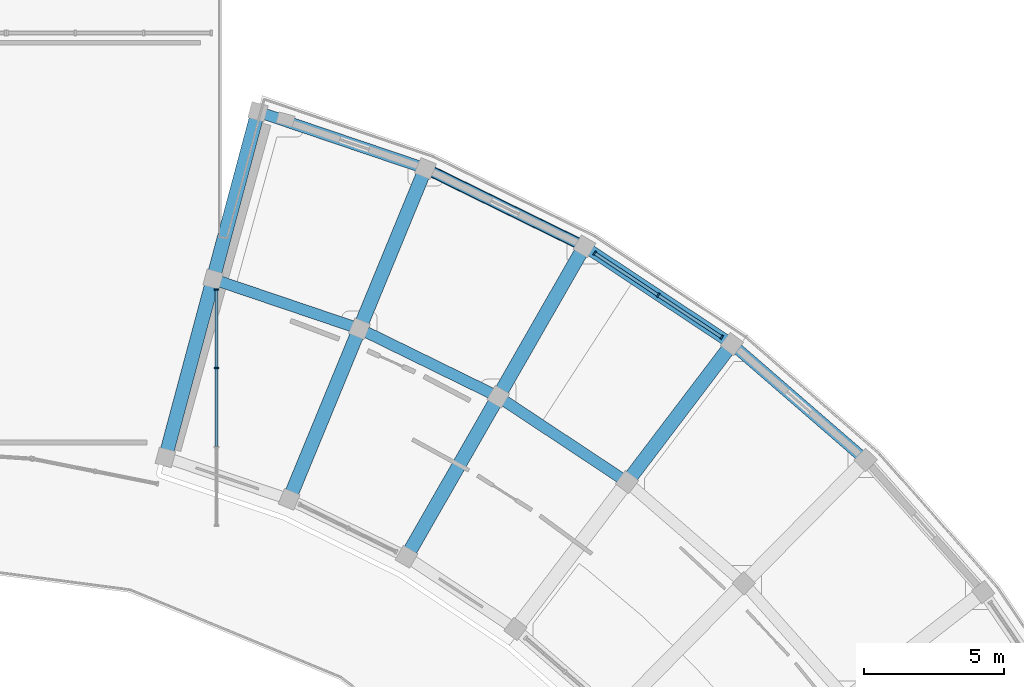
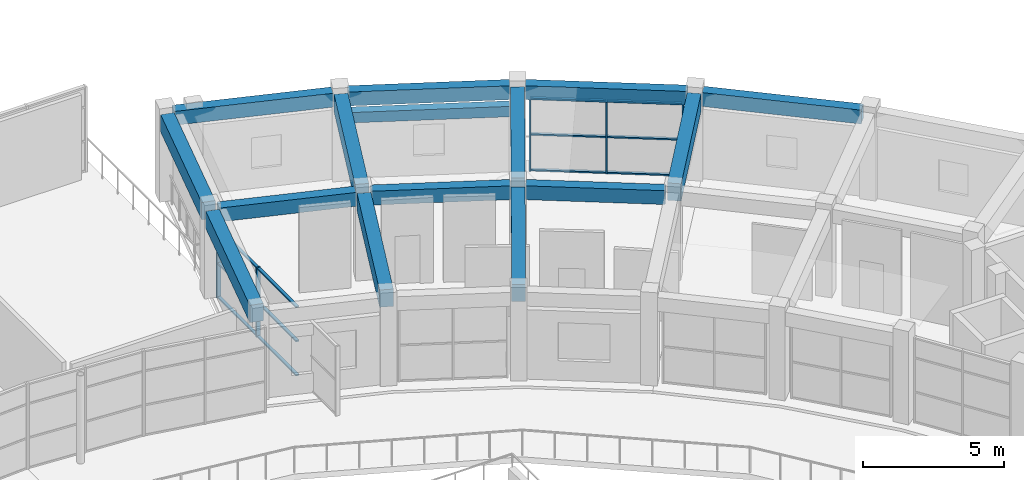
# One storey, part 38 of 83: 17 members, 15 beams, 2 elements without a shape of their own.
"""IFC4 building model written with IfcOpenShell, lengths in metres."""

from ifc_helpers import new_model, si_unit, direction, frame, origin, origin_2d, place, context, subcontext, project, spatial, rectangle, extrude, material, material_profile, profile_set, type_object, element, aggregate, save


model = new_model("IFC4")

# Units and contexts
model_context = context("Model", 3, precision=1e-05, world=origin(), true_north=direction((0.0, 1.0)))
body_context = subcontext(model_context, "Body", "Model", "MODEL_VIEW")
ifc_project = project(units=[si_unit("LENGTHUNIT", "METRE"), si_unit("AREAUNIT", "SQUARE_METRE"), si_unit("VOLUMEUNIT", "CUBIC_METRE"), si_unit("PLANEANGLEUNIT", "RADIAN"), si_unit("MASSUNIT", "GRAM", prefix="KILO")], contexts=[model_context])

# Site, building, storey
site_placement = place(None, origin())
site = spatial("IfcSite", under=ifc_project, at=site_placement, CompositionType="ELEMENT")
building_placement = place(site_placement, origin())
building = spatial("IfcBuilding", under=site, at=building_placement, Name="Saryqyr Civic Hall", CompositionType="ELEMENT")
storey_placement = place(building_placement, frame((0.0, 0.0, 9.14990234375)))
storey = spatial("IfcBuildingStorey", under=building, at=storey_placement, Name="L02", CompositionType="ELEMENT", Elevation=9.14990234375)

# Curtain wall, members
ifc_material_1 = material(Name="Anodised aluminium and triple low-E glass", Category="aluminium")
curtain_wall_type_1 = type_object("IfcCurtainWallType", Name="ENV-CW-STD-47", PredefinedType="NOTDEFINED", material=ifc_material_1)
curtain_wall_1_placement = place(storey_placement, origin())
curtain_wall_1 = element("IfcCurtainWall", 1, at=curtain_wall_1_placement, inside=storey, type_object=curtain_wall_type_1, Name="Curtain wall V6-CWO-L02-07", PredefinedType="NOTDEFINED")
ifc_material_2 = material(Name="Anodised aluminium", Category="aluminium")
ifc_material_profile_1 = material_profile(ifc_material_2, rectangle(XDim=0.06005859375, YDim=0.159912109375, at=origin_2d()), Name="ALU MULLION 60x160")
ifc_profile_set_1 = profile_set([ifc_material_profile_1], Name="Anodised aluminium")
member_type_1 = type_object("IfcMemberType", Name="ENV-CW-MUL-180", PredefinedType="MULLION", material=ifc_profile_set_1)
member_1_placement = place(storey_placement, frame((81.72412109375, 126.274658203125, 0.0), z_axis=(0.0, 0.0, 1.0), x_axis=(0.833756980548, -0.552131594266, 0.0)))
member_1 = element("IfcMember", 2, at=member_1_placement, type_object=member_type_1, Name="CW-47 mullion 1", PredefinedType="MULLION", context=body_context, shape_type="SweptSolid", body=[
    extrude(rectangle(XDim=0.06005859375, YDim=0.159912109375, at=origin_2d()), origin(), (0.0, 0.0, 1.0), 3.1650390625),
])
member_2_placement = place(storey_placement, frame((83.997314453125, 124.769287109375, 0.0), z_axis=(0.0, 0.0, 1.0), x_axis=(0.833756980548, -0.552131594266, 0.0)))
member_2 = element("IfcMember", 3, at=member_2_placement, type_object=member_type_1, Name="CW-47 mullion 2", PredefinedType="MULLION", context=body_context, shape_type="SweptSolid", body=[
    extrude(rectangle(XDim=0.06005859375, YDim=0.159912109375, at=origin_2d()), origin(), (0.0, 0.0, 1.0), 3.1650390625),
])
member_3_placement = place(storey_placement, frame((86.2705078125, 123.263916015625, 0.0), z_axis=(0.0, 0.0, 1.0), x_axis=(0.833756980548, -0.552131594266, 0.0)))
member_3 = element("IfcMember", 4, at=member_3_placement, type_object=member_type_1, Name="CW-47 mullion 3", PredefinedType="MULLION", context=body_context, shape_type="SweptSolid", body=[
    extrude(rectangle(XDim=0.06005859375, YDim=0.159912109375, at=origin_2d()), origin(), (0.0, 0.0, 1.0), 3.1650390625),
])

curtain_wall_type_2 = type_object("IfcCurtainWallType", Name="ENV-CW-STD-79", PredefinedType="NOTDEFINED", material=ifc_material_1)
curtain_wall_2_placement = place(storey_placement, origin())
curtain_wall_2 = element("IfcCurtainWall", 5, at=curtain_wall_2_placement, inside=storey, type_object=curtain_wall_type_2, Name="Curtain wall V2-VESTFLK-NE-L02", PredefinedType="NOTDEFINED")
member_4_placement = place(storey_placement, frame((68.199951171875, 124.9716796875, 0.0), z_axis=(0.0, 0.0, 1.0), x_axis=(0.0, -1.0, 0.0)))
member_4 = element("IfcMember", 6, at=member_4_placement, type_object=member_type_1, Name="CW-79 mullion 1", PredefinedType="MULLION", context=body_context, shape_type="SweptSolid", body=[
    extrude(rectangle(XDim=0.06005859375, YDim=0.159912109375, at=origin_2d()), origin(), (0.0, 0.0, 1.0), 3.01513671875),
])
member_5_placement = place(storey_placement, frame((68.199951171875, 122.167724609375, 0.0), z_axis=(0.0, 0.0, 1.0), x_axis=(0.0, -1.0, 0.0)))
member_5 = element("IfcMember", 7, at=member_5_placement, type_object=member_type_1, Name="CW-79 mullion 2", PredefinedType="MULLION", context=body_context, shape_type="SweptSolid", body=[
    extrude(rectangle(XDim=0.06005859375, YDim=0.159912109375, at=origin_2d()), origin(), (0.0, 0.0, 1.0), 3.01513671875),
])

# Member
ifc_material_profile_2 = material_profile(ifc_material_2, rectangle(XDim=0.1201171875, YDim=0.06005859375, at=origin_2d()), Name="ALU TRANSOM 120x60")
ifc_profile_set_2 = profile_set([ifc_material_profile_2], Name="Anodised aluminium")
member_type_2 = type_object("IfcMemberType", Name="ENV-CW-TRN-150", PredefinedType="USERDEFINED", material=ifc_profile_set_2)
member_6_placement = place(storey_placement, frame((81.7490234375, 126.258056640625, 0.030029296875), z_axis=(0.833792760269, -0.552077560604, 0.0), x_axis=(0.552077560604, 0.833792760269, 0.0)))
member_6 = element("IfcMember", 8, at=member_6_placement, type_object=member_type_2, Name="CW-47 transom 1.1", ObjectType="TRANSOM", PredefinedType="USERDEFINED", context=body_context, shape_type="SweptSolid", body=[
    extrude(rectangle(XDim=0.1201171875, YDim=0.06005859375, at=origin_2d()), origin(), (0.0, 0.0, 1.0), 2.66650390625),
])

member_7_placement = place(storey_placement, frame((81.7490234375, 126.258056640625, 1.58203125), z_axis=(0.833792760269, -0.552077560604, 0.0), x_axis=(0.552077560604, 0.833792760269, 0.0)))
member_7 = element("IfcMember", 9, at=member_7_placement, type_object=member_type_2, Name="CW-47 transom 1.2", ObjectType="TRANSOM", PredefinedType="USERDEFINED", context=body_context, shape_type="SweptSolid", body=[
    extrude(rectangle(XDim=0.1201171875, YDim=0.06005859375, at=origin_2d()), origin(), (0.0, 0.0, 1.0), 2.66650390625),
])

member_8_placement = place(storey_placement, frame((81.7490234375, 126.258056640625, 3.135009765625), z_axis=(0.833792760269, -0.552077560604, 0.0), x_axis=(0.552077560604, 0.833792760269, 0.0)))
member_8 = element("IfcMember", 10, at=member_8_placement, type_object=member_type_2, Name="CW-47 transom 1.3", ObjectType="TRANSOM", PredefinedType="USERDEFINED", context=body_context, shape_type="SweptSolid", body=[
    extrude(rectangle(XDim=0.1201171875, YDim=0.06005859375, at=origin_2d()), origin(), (0.0, 0.0, 1.0), 2.66650390625),
])

member_9_placement = place(storey_placement, frame((84.0224609375, 124.752685546875, 0.030029296875), z_axis=(0.833764852013, -0.552119707625, 0.0), x_axis=(0.552119707625, 0.833764852013, 0.0)))
member_9 = element("IfcMember", 11, at=member_9_placement, type_object=member_type_2, Name="CW-47 transom 2.1", ObjectType="TRANSOM", PredefinedType="USERDEFINED", context=body_context, shape_type="SweptSolid", body=[
    extrude(rectangle(XDim=0.1201171875, YDim=0.06005859375, at=origin_2d()), origin(), (0.0, 0.0, 1.0), 2.66650390625),
])

member_10_placement = place(storey_placement, frame((84.0224609375, 124.752685546875, 1.58203125), z_axis=(0.833764852013, -0.552119707625, 0.0), x_axis=(0.552119707625, 0.833764852013, 0.0)))
member_10 = element("IfcMember", 12, at=member_10_placement, type_object=member_type_2, Name="CW-47 transom 2.2", ObjectType="TRANSOM", PredefinedType="USERDEFINED", context=body_context, shape_type="SweptSolid", body=[
    extrude(rectangle(XDim=0.1201171875, YDim=0.06005859375, at=origin_2d()), origin(), (0.0, 0.0, 1.0), 2.66650390625),
])

member_11_placement = place(storey_placement, frame((84.0224609375, 124.752685546875, 3.135009765625), z_axis=(0.833764852013, -0.552119707625, 0.0), x_axis=(0.552119707625, 0.833764852013, 0.0)))
member_11 = element("IfcMember", 13, at=member_11_placement, type_object=member_type_2, Name="CW-47 transom 2.3", ObjectType="TRANSOM", PredefinedType="USERDEFINED", context=body_context, shape_type="SweptSolid", body=[
    extrude(rectangle(XDim=0.1201171875, YDim=0.06005859375, at=origin_2d()), origin(), (0.0, 0.0, 1.0), 2.66650390625),
])

aggregate(curtain_wall_1, [member_1, member_2, member_3, member_6, member_7, member_8, member_9, member_10, member_11])

member_12_placement = place(storey_placement, frame((68.199951171875, 124.941650390625, 0.030029296875), z_axis=(0.0, -1.0, 0.0), x_axis=(1.0, 0.0, 0.0)))
member_12 = element("IfcMember", 14, at=member_12_placement, type_object=member_type_2, Name="CW-79 transom 1.1", ObjectType="TRANSOM", PredefinedType="USERDEFINED", context=body_context, shape_type="SweptSolid", body=[
    extrude(rectangle(XDim=0.1201171875, YDim=0.06005859375, at=origin_2d()), origin(), (0.0, 0.0, 1.0), 2.743896484375),
])

member_13_placement = place(storey_placement, frame((68.199951171875, 124.941650390625, 1.508056640625), z_axis=(0.0, -1.0, 0.0), x_axis=(1.0, 0.0, 0.0)))
member_13 = element("IfcMember", 15, at=member_13_placement, type_object=member_type_2, Name="CW-79 transom 1.2", ObjectType="TRANSOM", PredefinedType="USERDEFINED", context=body_context, shape_type="SweptSolid", body=[
    extrude(rectangle(XDim=0.1201171875, YDim=0.06005859375, at=origin_2d()), origin(), (0.0, 0.0, 1.0), 2.743896484375),
])

member_14_placement = place(storey_placement, frame((68.199951171875, 124.941650390625, 2.985107421875), z_axis=(0.0, -1.0, 0.0), x_axis=(1.0, 0.0, 0.0)))
member_14 = element("IfcMember", 16, at=member_14_placement, type_object=member_type_2, Name="CW-79 transom 1.3", ObjectType="TRANSOM", PredefinedType="USERDEFINED", context=body_context, shape_type="SweptSolid", body=[
    extrude(rectangle(XDim=0.1201171875, YDim=0.06005859375, at=origin_2d()), origin(), (0.0, 0.0, 1.0), 2.743896484375),
])

member_15_placement = place(storey_placement, frame((68.199951171875, 122.1376953125, 0.030029296875), z_axis=(0.0, -1.0, 0.0), x_axis=(1.0, 0.0, 0.0)))
member_15 = element("IfcMember", 17, at=member_15_placement, type_object=member_type_2, Name="CW-79 transom 2.1", ObjectType="TRANSOM", PredefinedType="USERDEFINED", context=body_context, shape_type="SweptSolid", body=[
    extrude(rectangle(XDim=0.1201171875, YDim=0.06005859375, at=origin_2d()), origin(), (0.0, 0.0, 1.0), 2.77392578125),
])

member_16_placement = place(storey_placement, frame((68.199951171875, 122.1376953125, 1.508056640625), z_axis=(0.0, -1.0, 0.0), x_axis=(1.0, 0.0, 0.0)))
member_16 = element("IfcMember", 18, at=member_16_placement, type_object=member_type_2, Name="CW-79 transom 2.2", ObjectType="TRANSOM", PredefinedType="USERDEFINED", context=body_context, shape_type="SweptSolid", body=[
    extrude(rectangle(XDim=0.1201171875, YDim=0.06005859375, at=origin_2d()), origin(), (0.0, 0.0, 1.0), 2.77392578125),
])

member_17_placement = place(storey_placement, frame((68.199951171875, 122.1376953125, 2.985107421875), z_axis=(0.0, -1.0, 0.0), x_axis=(1.0, 0.0, 0.0)))
member_17 = element("IfcMember", 19, at=member_17_placement, type_object=member_type_2, Name="CW-79 transom 2.3", ObjectType="TRANSOM", PredefinedType="USERDEFINED", context=body_context, shape_type="SweptSolid", body=[
    extrude(rectangle(XDim=0.1201171875, YDim=0.06005859375, at=origin_2d()), origin(), (0.0, 0.0, 1.0), 2.77392578125),
])

aggregate(curtain_wall_2, [member_4, member_5, member_12, member_13, member_14, member_15, member_16, member_17])

# Beams
ifc_material_3 = material(Name="Concrete C35/45", Category="concrete")
ifc_material_profile_3 = material_profile(ifc_material_3, rectangle(XDim=0.39990234375, YDim=0.60009765625, at=origin_2d()), Name="RC 400x600")
ifc_profile_set_3 = profile_set([ifc_material_profile_3], Name="Concrete C35/45")
beam_type_1 = type_object("IfcBeamType", Name="STR-BM-RC400x600", PredefinedType="BEAM", material=ifc_profile_set_3)
for number, where, z_axis, x_axis, name in (
    (20, (82.656494140625, 118.236572265625, 3.489990234375), (-0.833759218515, 0.552128214767, 0.0), (-0.552128214767, -0.833759218515, 0.0), "Beam V6-CBM-MID07-L02"),
    (21, (78.030029296875, 121.257568359375, 3.489990234375), (-0.897969369862, 0.440057962989, 0.0), (-0.440057962989, -0.897969369862, 0.0), "Beam V6-CBM-MID08-L02"),
):
    element("IfcBeam", number, at=place(storey_placement, frame(where, z_axis=z_axis, x_axis=x_axis)), inside=storey, type_object=beam_type_1, Name=name, PredefinedType="BEAM", context=body_context, shape_type="SweptSolid", body=[
        extrude(rectangle(XDim=0.39990234375, YDim=0.60009765625, at=origin_2d()), origin(), (0.0, 0.0, 1.0), 4.9775390625),
    ])
beam_1_placement = place(storey_placement, frame((73.052734375, 123.6572265625, 3.489990234375), z_axis=(-0.947191677807, 0.32066793649, 0.0), x_axis=(-0.32066793649, -0.947191677807, 0.0)))
element("IfcBeam", 22, at=beam_1_placement, inside=storey, type_object=beam_type_1, Name="Beam V6-CBM-MID09-L02", PredefinedType="BEAM", context=body_context, shape_type="SweptSolid", body=[
    extrude(rectangle(XDim=0.39990234375, YDim=0.60009765625, at=origin_2d()), origin(), (0.0, 0.0, 1.0), 4.977783203125),
])
ifc_material_profile_4 = material_profile(ifc_material_3, rectangle(XDim=0.39990234375, YDim=0.60009765625, at=origin_2d()), Name="RC 400x600")
ifc_profile_set_4 = profile_set([ifc_material_profile_4], Name="Concrete C35/45")
beam_type_2 = type_object("IfcBeamType", Name="STR-BM-RC400x600-EXT", PredefinedType="BEAM", material=ifc_profile_set_4)
beam_2_placement = place(storey_placement, frame((91.2099609375, 119.057373046875, 3.489990234375), z_axis=(-0.755654230233, 0.654970750745, 0.0), x_axis=(-0.654970750745, -0.755654230233, 0.0)))
element("IfcBeam", 23, at=beam_2_placement, inside=storey, type_object=beam_type_2, Name="Beam V6-CBM-OUT06-L02", PredefinedType="BEAM", context=body_context, shape_type="SweptSolid", body=[
    extrude(rectangle(XDim=0.39990234375, YDim=0.60009765625, at=origin_2d()), origin(), (0.0, 0.0, 1.0), 5.7783203125),
])
for number, where, z_axis, x_axis, name in (
    (24, (86.40625, 123.174072265625, 3.489990234375), (-0.833762314581, 0.552123539422, 0.0), (-0.552123539422, -0.833762314581, 0.0), "Beam V6-CBM-OUT07-L02"),
    (25, (81.1123046875, 126.63720703125, 3.489990234375), (-0.897964591433, 0.440067713577, 0.0), (-0.440067713577, -0.897964591433, 0.0), "Beam V6-CBM-OUT08-L02"),
    (26, (75.416015625, 129.389404296875, 3.489990234375), (-0.947202743772, 0.320635247892, 0.0), (-0.320635247892, -0.947202743772, 0.0), "Beam V6-CBM-OUT09-L02"),
):
    element("IfcBeam", number, at=place(storey_placement, frame(where, z_axis=z_axis, x_axis=x_axis)), inside=storey, type_object=beam_type_2, Name=name, PredefinedType="BEAM", context=body_context, shape_type="SweptSolid", body=[
        extrude(rectangle(XDim=0.39990234375, YDim=0.60009765625, at=origin_2d()), origin(), (0.0, 0.0, 1.0), 5.778564453125),
    ])
ifc_material_4 = material(Name="Concrete C40/50", Category="concrete")
ifc_material_profile_5 = material_profile(ifc_material_4, rectangle(XDim=0.5, YDim=0.75, at=origin_2d()), Name="RC 500x750")
ifc_profile_set_5 = profile_set([ifc_material_profile_5], Name="Concrete C40/50")
beam_type_3 = type_object("IfcBeamType", Name="STR-BM-RC500x750", PredefinedType="BEAM", material=ifc_profile_set_5)
beam_3_placement = place(storey_placement, frame((83.052001953125, 118.3037109375, 3.4150390625), z_axis=(0.604814812056, 0.796366148903, 0.0), x_axis=(-0.796366148903, 0.604814812056, 0.0)))
element("IfcBeam", 27, at=beam_3_placement, inside=storey, type_object=beam_type_3, Name="Beam V6-RBM-B07-L02", PredefinedType="BEAM", context=body_context, shape_type="SweptSolid", body=[
    extrude(rectangle(XDim=0.5, YDim=0.75, at=origin_2d()), origin(), (0.0, 0.0, 1.0), 5.650146484375),
])
beam_4_placement = place(storey_placement, frame((75.132568359375, 115.648681640625, 3.4150390625), z_axis=(0.497164210685, 0.867656468664, 0.0), x_axis=(-0.867656468664, 0.497164210685, 0.0)))
element("IfcBeam", 28, at=beam_4_placement, inside=storey, type_object=beam_type_3, Name="Beam V6-RBM-A08-L02", PredefinedType="BEAM", context=body_context, shape_type="SweptSolid", body=[
    extrude(rectangle(XDim=0.5, YDim=0.75, at=origin_2d()), origin(), (0.0, 0.0, 1.0), 6.050048828125),
])
beam_5_placement = place(storey_placement, frame((78.413818359375, 121.375244140625, 3.4150390625), z_axis=(0.497106570518, 0.867689493741, 0.0), x_axis=(-0.867689493741, 0.497106570518, 0.0)))
element("IfcBeam", 29, at=beam_5_placement, inside=storey, type_object=beam_type_3, Name="Beam V6-RBM-B08-L02", PredefinedType="BEAM", context=body_context, shape_type="SweptSolid", body=[
    extrude(rectangle(XDim=0.5, YDim=0.75, at=origin_2d()), origin(), (0.0, 0.0, 1.0), 5.64990234375),
])
beam_6_placement = place(storey_placement, frame((70.902587890625, 117.7216796875, 3.4150390625), z_axis=(0.381145552092, 0.924515044832, 0.0), x_axis=(-0.924515044832, 0.381145552092, 0.0)))
element("IfcBeam", 30, at=beam_6_placement, inside=storey, type_object=beam_type_3, Name="Beam V6-RBM-A09-L02", PredefinedType="BEAM", context=body_context, shape_type="SweptSolid", body=[
    extrude(rectangle(XDim=0.5, YDim=0.75, at=origin_2d()), origin(), (0.0, 0.0, 1.0), 6.050048828125),
])
beam_7_placement = place(storey_placement, frame((73.418212890625, 123.8232421875, 3.4150390625), z_axis=(0.381114889866, 0.924527685212, 0.0), x_axis=(-0.924527685212, 0.381114889866, 0.0)))
element("IfcBeam", 31, at=beam_7_placement, inside=storey, type_object=beam_type_3, Name="Beam V6-RBM-B09-L02", PredefinedType="BEAM", context=body_context, shape_type="SweptSolid", body=[
    extrude(rectangle(XDim=0.5, YDim=0.75, at=origin_2d()), origin(), (0.0, 0.0, 1.0), 5.650146484375),
])
beam_8_placement = place(storey_placement, frame((66.4404296875, 119.232177734375, 3.4150390625), z_axis=(0.258832905588, 0.965922112277, 0.0), x_axis=(-0.965922112277, 0.258832905588, 0.0)))
element("IfcBeam", 32, at=beam_8_placement, inside=storey, type_object=beam_type_3, Name="Beam V6-RBM-A10-L02", PredefinedType="BEAM", context=body_context, shape_type="SweptSolid", body=[
    extrude(rectangle(XDim=0.5, YDim=0.75, at=origin_2d()), origin(), (0.0, 0.0, 1.0), 6.0498046875),
])
beam_9_placement = place(storey_placement, frame((68.148681640625, 125.607177734375, 3.4150390625), z_axis=(0.25878936227, 0.965933779291, 0.0), x_axis=(-0.965933779291, 0.25878936227, 0.0)))
element("IfcBeam", 33, at=beam_9_placement, inside=storey, type_object=beam_type_3, Name="Beam V6-RBM-B10-L02", PredefinedType="BEAM", context=body_context, shape_type="SweptSolid", body=[
    extrude(rectangle(XDim=0.5, YDim=0.75, at=origin_2d()), origin(), (0.0, 0.0, 1.0), 5.64990234375),
])
ifc_material_5 = material(Name="Precast concrete C40/50", Category="concrete")
ifc_material_profile_6 = material_profile(ifc_material_5, rectangle(XDim=0.35009765625, YDim=0.449951171875, at=origin_2d()), Name="RC 350x450")
ifc_profile_set_6 = profile_set([ifc_material_profile_6], Name="Precast concrete C40/50")
beam_type_4 = type_object("IfcBeamType", Name="STR-LIN-RC350x450", PredefinedType="LINTEL", material=ifc_profile_set_6)
beam_10_placement = place(storey_placement, frame((81.1123046875, 126.63720703125, 2.655029296875), z_axis=(-0.897964591433, 0.440067713577, 0.0), x_axis=(-0.440067713577, -0.897964591433, 0.0)))
element("IfcBeam", 34, at=beam_10_placement, inside=storey, type_object=beam_type_4, Name="Beam V6-LIN-08-L02", PredefinedType="LINTEL", context=body_context, shape_type="SweptSolid", body=[
    extrude(rectangle(XDim=0.35009765625, YDim=0.449951171875, at=origin_2d()), origin(), (0.0, 0.0, 1.0), 5.778564453125),
])

save(model, "model.ifc")
